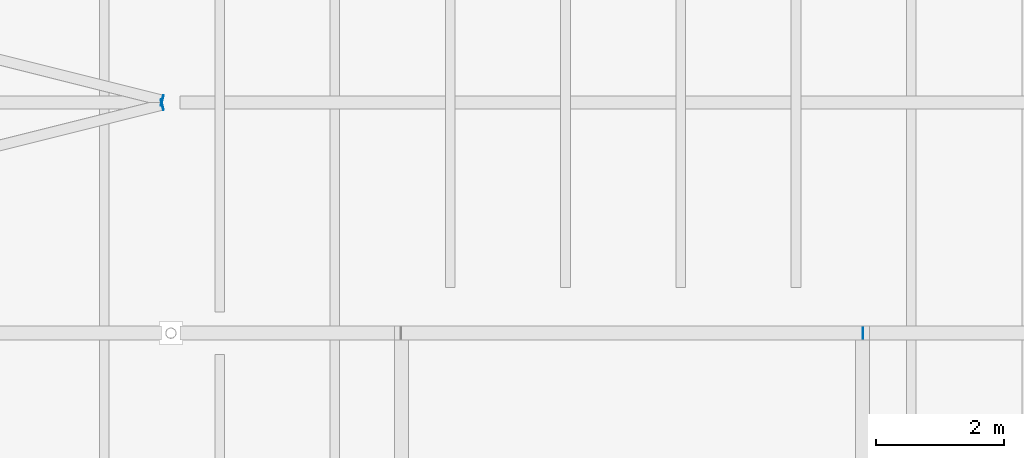
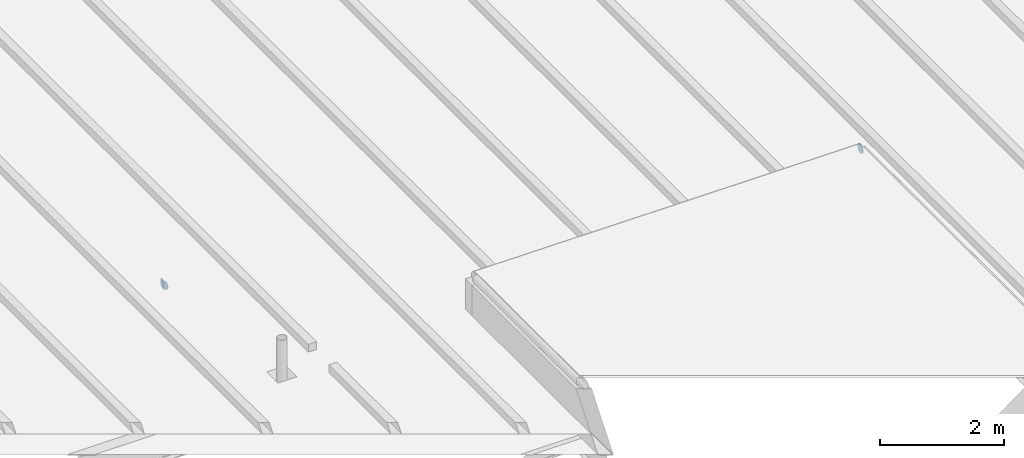
# One storey, part 101 of 120: 3 discrete accessories.
"""IFC4 building model written with IfcOpenShell, lengths in metres."""

from ifc_helpers import new_model, si_unit, direction, frame, origin, origin_2d, place, context, subcontext, project, spatial, circle, extrude, material, layer, layer_set, type_object, element, save


model = new_model("IFC4")

# Units and contexts
model_context = context("Model", 3, precision=1e-05, world=origin(), true_north=direction((0.0, 1.0)))
body_context = subcontext(model_context, "Body", "Model", "MODEL_VIEW")
ifc_project = project(units=[si_unit("LENGTHUNIT", "METRE"), si_unit("AREAUNIT", "SQUARE_METRE"), si_unit("VOLUMEUNIT", "CUBIC_METRE"), si_unit("PLANEANGLEUNIT", "RADIAN"), si_unit("MASSUNIT", "GRAM", prefix="KILO")], contexts=[model_context])

# Site, building, storey
site_placement = place(None, origin())
site = spatial("IfcSite", under=ifc_project, at=site_placement, CompositionType="ELEMENT")
building_placement = place(site_placement, origin())
building = spatial("IfcBuilding", under=site, at=building_placement, Name="Kupolbacken Congress Centre", CompositionType="ELEMENT")
storey_placement = place(building_placement, frame((0.0, 0.0, 21.60009765625)))
storey = spatial("IfcBuildingStorey", under=building, at=storey_placement, Name="L06", CompositionType="ELEMENT", Elevation=21.60009765625)

# Discrete accessories
ifc_material = material(Name="Steel S355", Category="steel")
ifc_layer = layer(ifc_material, 0.011962890625)
ifc_layer_set = layer_set([ifc_layer], Name="Steel S355")
discrete_accessory_type = type_object("IfcDiscreteAccessoryType", Name="EC2 tube end cap plate 168 dia x 12", PredefinedType="BRACKET", material=ifc_layer_set)
for number, where, z_axis, x_axis, name in (
    (1, (165.459228515625, 86.36474609375, -0.084228515625), (0.970142500145, 0.242535625036, 0.0), (-0.242535625036, 0.970142500145, 0.0), "End cap plate HR/RB/05-11 B"),
    (2, (165.459228515625, 86.435302734375, -0.084228515625), (0.970142500145, -0.242535625036, 0.0), (0.242535625036, 0.970142500145, 0.0), "End cap plate HR/RB/05-12 A"),
):
    element("IfcDiscreteAccessory", number, at=place(storey_placement, frame(where, z_axis=z_axis, x_axis=x_axis)), inside=storey, type_object=discrete_accessory_type, Name=name, PredefinedType="BRACKET", context=body_context, shape_type="SweptSolid", body=[
        extrude(circle(Radius=0.084228515625, at=origin_2d()), origin(), (0.0, 0.0, 1.0), 0.011962890625),
    ])
discrete_accessory_placement = place(storey_placement, frame((176.39990234375, 82.800048828125, 0.944091796875), z_axis=(1.0, 0.0, 0.0), x_axis=(0.0, 1.0, 0.0)))
element("IfcDiscreteAccessory", 3, at=discrete_accessory_placement, inside=storey, type_object=discrete_accessory_type, Name="End cap plate RD/RL8/FN B", PredefinedType="BRACKET", context=body_context, shape_type="SweptSolid", body=[
    extrude(circle(Radius=0.084228515625, at=origin_2d()), origin(), (0.0, 0.0, 1.0), 0.01220703125),
])

save(model, "model.ifc")
